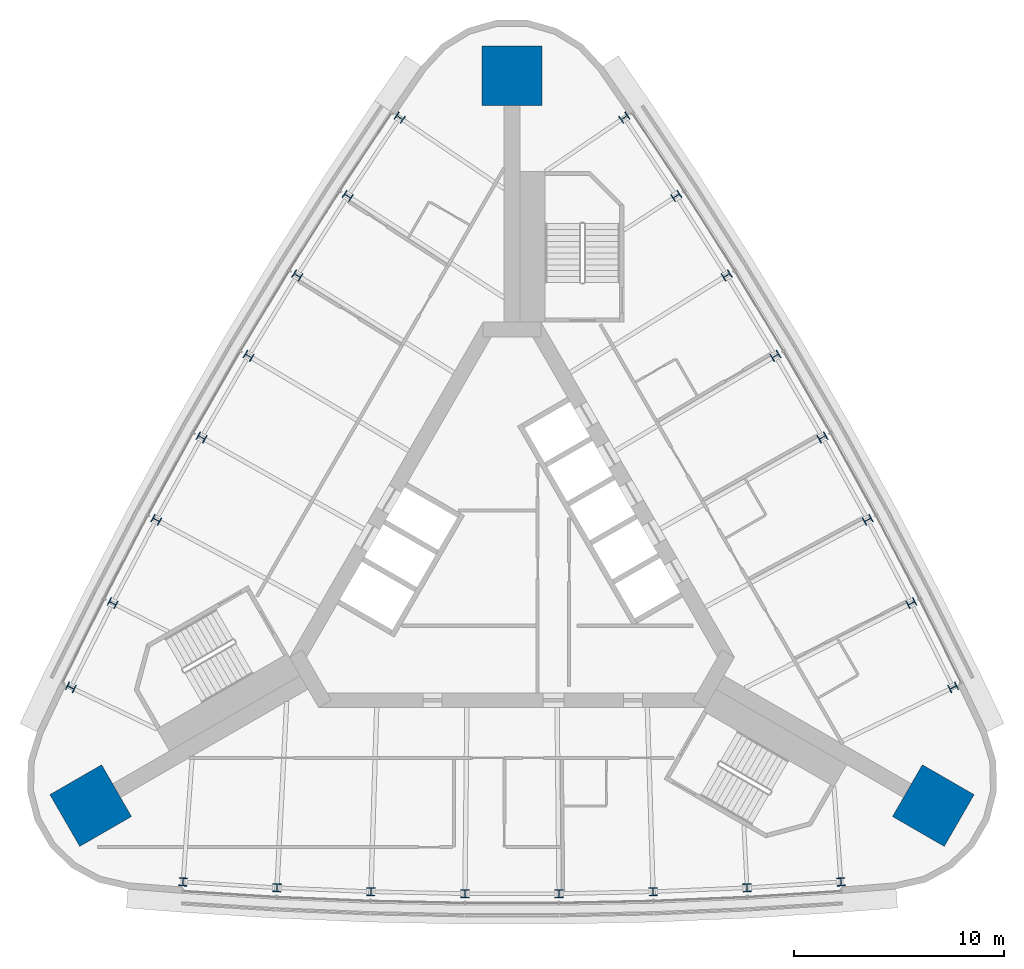
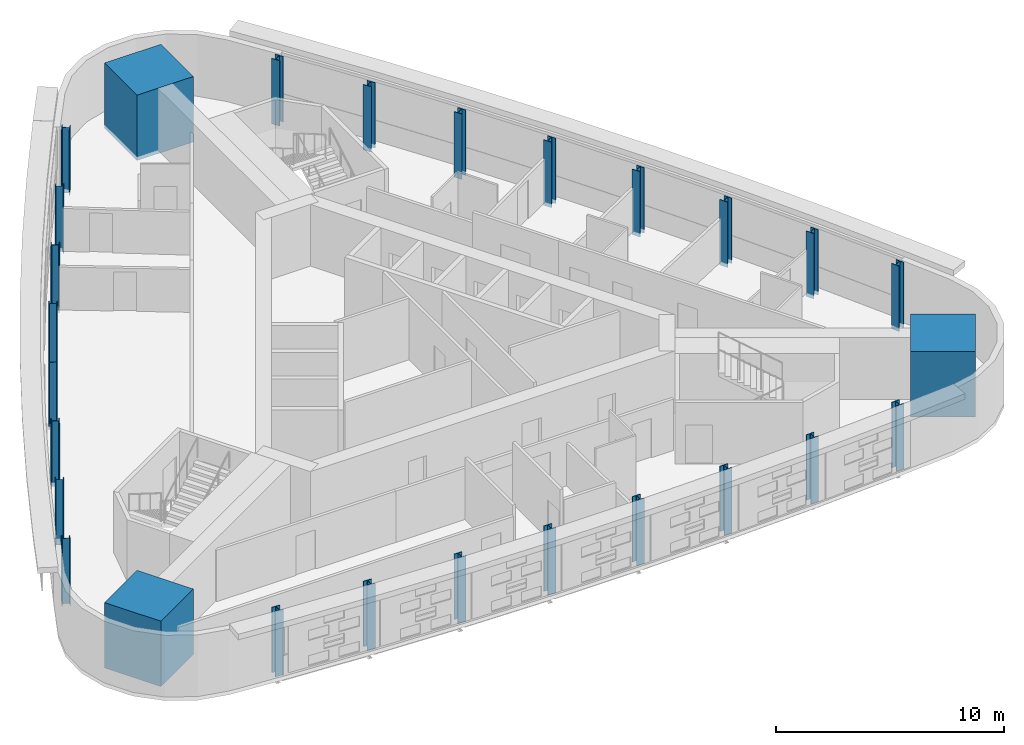
# One storey, part 1 of 12: 27 columns.
"""IFC4 building model written with IfcOpenShell, lengths in metres."""

from ifc_helpers import new_model, si_unit, direction, frame, origin, origin_2d, place, context, subcontext, project, spatial, rectangle, i_section, extrude, material, material_profile, profile_set, type_object, element, save


model = new_model("IFC4")

# Units and contexts
model_context = context("Model", 3, precision=1e-05, world=origin(), true_north=direction((0.0, 1.0)))
body_context = subcontext(model_context, "Body", "Model", "MODEL_VIEW")
ifc_project = project(units=[si_unit("LENGTHUNIT", "METRE"), si_unit("AREAUNIT", "SQUARE_METRE"), si_unit("VOLUMEUNIT", "CUBIC_METRE"), si_unit("PLANEANGLEUNIT", "RADIAN"), si_unit("MASSUNIT", "GRAM", prefix="KILO")], contexts=[model_context])

# Site, building, storey
site_placement = place(None, origin())
site = spatial("IfcSite", under=ifc_project, at=site_placement, CompositionType="ELEMENT")
building_placement = place(site_placement, origin())
building = spatial("IfcBuilding", under=site, at=building_placement, Name="Noor Cloister Tower", CompositionType="ELEMENT")
storey_placement = place(building_placement, frame((0.0, 0.0, 165.300048828125)))
storey = spatial("IfcBuildingStorey", under=building, at=storey_placement, Name="L42", CompositionType="ELEMENT", Elevation=165.300048828125)

# Columns
ifc_material_1 = material(Name="Steel ASTM A992 Gr 50", Category="steel")
ifc_material_profile_1 = material_profile(ifc_material_1, i_section(OverallWidth=0.39892578125, OverallDepth=0.385986328125, WebThickness=0.02099609375, FlangeThickness=0.033203125, FilletRadius=0.01513671875, at=origin_2d()), Name="W360x262")
ifc_profile_set_1 = profile_set([ifc_material_profile_1], Name="Steel ASTM A992 Gr 50")
column_type_1 = type_object("IfcColumnType", Name="Column W360x262", PredefinedType="COLUMN", material=ifc_profile_set_1)
for number, where, z_axis, x_axis, name in (
    (1, (-5.354736328125, 21.21533203125, -0.199951171875), (0.0, 0.0, 1.0), (-0.562090371754, -0.827075821181, 0.0), "Column NW 01 L42"),
    (2, (-7.838623046875, 17.476806640625, -0.199951171875), (0.0, 0.0, 1.0), (-0.54464410067, -0.838667278249, 0.0), "Column NW 02 L42"),
    (3, (-10.24365234375, 13.68701171875, -0.199951171875), (0.0, 0.0, 1.0), (-0.526958875565, -0.849890783256, 0.0), "Column NW 03 L42"),
    (4, (-12.568603515625, 9.847900390625, -0.199951171875), (0.0, 0.0, 1.0), (-0.509042455552, -0.860741412066, 0.0), "Column NW 04 L42"),
    (5, (-14.81298828125, 5.9609375, -0.199951171875), (0.0, 0.0, 1.0), (-0.490902701163, -0.871214404146, 0.0), "Column NW 05 L42"),
    (6, (-16.97509765625, 2.027587890625, -0.199951171875), (0.0, 0.0, 1.0), (-0.472547570959, -0.881305164617, 0.0), "Column NW 06 L42"),
    (7, (-19.0546875, -1.949951171875, -0.199951171875), (0.0, 0.0, 1.0), (-0.453985117951, -0.891009266326, 0.0), "Column NW 07 L42"),
    (8, (-21.05029296875, -5.97021484375, -0.199951171875), (0.0, 0.0, 1.0), (-0.435223486122, -0.900322451752, 0.0), "Column NW 08 L42"),
    (9, (-15.695556640625, -15.244873046875, -0.199951171875), (0.0, 0.0, 1.0), (0.997313857875, -0.073246630571, 0.0), "Column S 01 L42"),
    (10, (-11.216064453125, -15.52685546875, -0.199951171875), (0.0, 0.0, 1.0), (0.998629218621, -0.052341988078, 0.0), "Column S 02 L42"),
    (11, (-6.731689453125, -15.71484375, -0.199951171875), (0.0, 0.0, 1.0), (0.999506446524, -0.031414381361, 0.0), "Column S 03 L42"),
    (12, (-2.244140625, -15.808837890625, -0.199951171875), (0.0, 0.0, 1.0), (0.999945156715, -0.01047299208, 0.0), "Column S 04 L42"),
    (13, (2.244140625, -15.808837890625, -0.199951171875), (0.0, 0.0, 1.0), (0.999945156715, 0.01047299208, 0.0), "Column S 05 L42"),
    (14, (6.731689453125, -15.71484375, -0.199951171875), (0.0, 0.0, 1.0), (0.999506446524, 0.031414381361, 0.0), "Column S 06 L42"),
    (15, (11.216064453125, -15.52685546875, -0.199951171875), (0.0, 0.0, 1.0), (0.998629218621, 0.052341988078, 0.0), "Column S 07 L42"),
    (16, (15.695556640625, -15.244873046875, -0.199951171875), (0.0, 0.0, 1.0), (0.997313857875, 0.073246630571, 0.0), "Column S 08 L42"),
    (17, (21.05029296875, -5.97021484375, -0.199951171875), (0.0, 0.0, 1.0), (-0.435223486122, 0.900322451752, 0.0), "Column NE 01 L42"),
    (18, (19.0546875, -1.949951171875, -0.199951171875), (0.0, 0.0, 1.0), (-0.453985117951, 0.891009266326, 0.0), "Column NE 02 L42"),
    (19, (16.97509765625, 2.027587890625, -0.199951171875), (0.0, 0.0, 1.0), (-0.472547570959, 0.881305164617, 0.0), "Column NE 03 L42"),
    (20, (14.81298828125, 5.9609375, -0.199951171875), (0.0, 0.0, 1.0), (-0.490902701163, 0.871214404146, 0.0), "Column NE 04 L42"),
    (21, (12.568603515625, 9.847900390625, -0.199951171875), (0.0, 0.0, 1.0), (-0.509042455552, 0.860741412066, 0.0), "Column NE 05 L42"),
    (22, (10.24365234375, 13.68701171875, -0.199951171875), (0.0, 0.0, 1.0), (-0.526958875565, 0.849890783256, 0.0), "Column NE 06 L42"),
    (23, (7.838623046875, 17.476806640625, -0.199951171875), (0.0, 0.0, 1.0), (-0.54464410067, 0.838667278249, 0.0), "Column NE 07 L42"),
    (24, (5.354736328125, 21.21533203125, -0.199951171875), (0.0, 0.0, 1.0), (-0.562090371754, 0.827075821181, 0.0), "Column NE 08 L42"),
):
    element("IfcColumn", number, at=place(storey_placement, frame(where, z_axis=z_axis, x_axis=x_axis)), inside=storey, type_object=column_type_1, Name=name, PredefinedType="COLUMN", context=body_context, shape_type="SweptSolid", body=[
        extrude(i_section(OverallWidth=0.39892578125, OverallDepth=0.385986328125, WebThickness=0.02099609375, FlangeThickness=0.033203125, FilletRadius=0.01513671875, at=origin_2d()), origin(), (0.0, 0.0, 1.0), 3.5),
    ])
ifc_material_2 = material(Name="Concrete C70/85", Category="concrete")
ifc_material_profile_2 = material_profile(ifc_material_2, rectangle(XDim=2.85009765625, YDim=2.85009765625, at=origin_2d()), Name="RC 2850x2850")
ifc_profile_set_2 = profile_set([ifc_material_profile_2], Name="Concrete C70/85")
column_type_2 = type_object("IfcColumnType", Name="Corner pier 2850 x 2850 C70/85", PredefinedType="COLUMN", material=ifc_profile_set_2)
for number, where, z_axis, x_axis, name in (
    (25, (0.0, 23.2119140625, -0.199951171875), (0.0, 0.0, 1.0), (0.0, 1.0, 0.0), "Corner pier N L42"),
    (26, (-20.102294921875, -11.60595703125, -0.199951171875), (0.0, 0.0, 1.0), (-0.866025403784, -0.5, 0.0), "Corner pier SW L42"),
    (27, (20.102294921875, -11.60595703125, -0.199951171875), (0.0, 0.0, 1.0), (0.866025403784, -0.5, 0.0), "Corner pier SE L42"),
):
    element("IfcColumn", number, at=place(storey_placement, frame(where, z_axis=z_axis, x_axis=x_axis)), inside=storey, type_object=column_type_2, Name=name, PredefinedType="COLUMN", context=body_context, shape_type="SweptSolid", body=[
        extrude(rectangle(XDim=2.85009765625, YDim=2.85009765625, at=origin_2d()), origin(), (0.0, 0.0, 1.0), 3.5),
    ])

save(model, "model.ifc")
